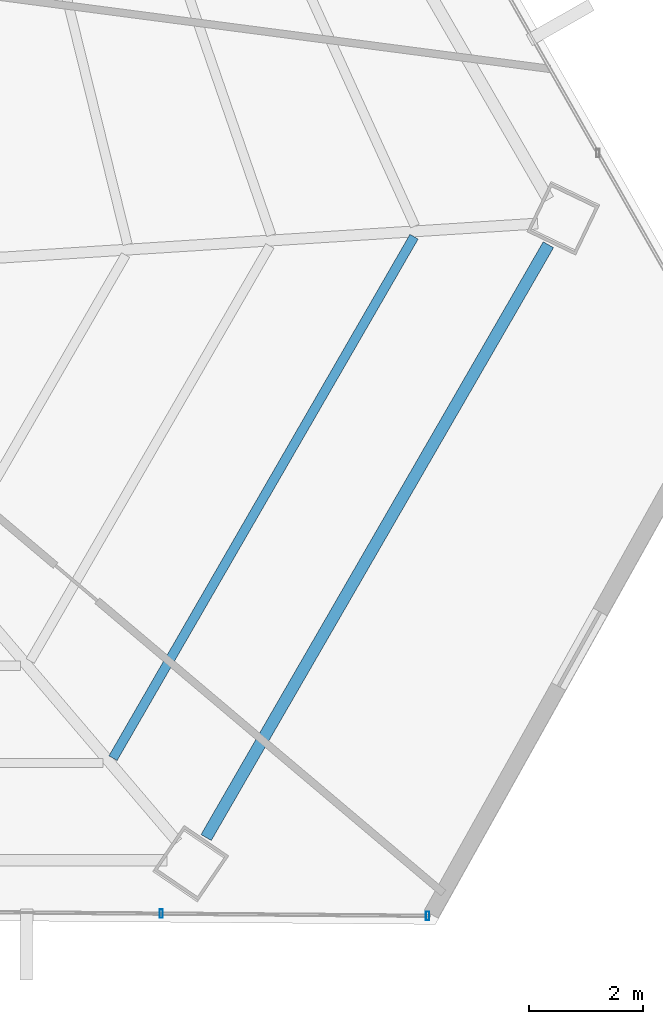
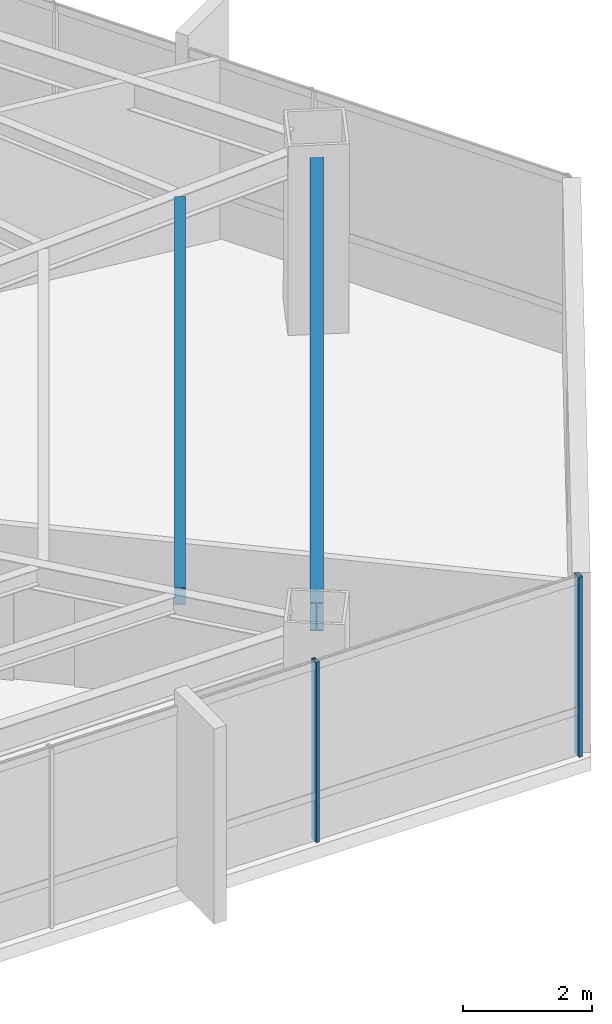
# One storey, part 19 of 39: 2 beams, 2 members, 1 element without a shape of its own.
"""IFC4 building model written with IfcOpenShell, lengths in metres."""

from ifc_helpers import new_model, si_unit, direction, frame, origin, origin_2d, place, context, subcontext, project, spatial, hollow_rectangle, i_section, extrude, source, transform, mapped, material, material_profile, profile_set, type_object, type_shapes, element, aggregate, save


model = new_model("IFC4")

# Units and contexts
model_context = context("Model", 3, precision=1e-05, world=origin(), true_north=direction((0.0, 1.0)))
body_context = subcontext(model_context, "Body", "Model", "MODEL_VIEW")
ifc_project = project(units=[si_unit("LENGTHUNIT", "METRE"), si_unit("AREAUNIT", "SQUARE_METRE"), si_unit("VOLUMEUNIT", "CUBIC_METRE"), si_unit("PLANEANGLEUNIT", "RADIAN"), si_unit("MASSUNIT", "GRAM", prefix="KILO")], contexts=[model_context])

# Site, building, storey
site_placement = place(None, origin())
site = spatial("IfcSite", under=ifc_project, at=site_placement, CompositionType="ELEMENT")
building_placement = place(site_placement, origin())
building = spatial("IfcBuilding", under=site, at=building_placement, Name="Caelisora Broadcast Tower", CompositionType="ELEMENT")
storey_placement = place(building_placement, frame((0.0, 0.0, 142.75)))
storey = spatial("IfcBuildingStorey", under=building, at=storey_placement, Name="L37", CompositionType="ELEMENT", Elevation=142.75)

# Beams
ifc_material_1 = material(Name="Steel Grade 350 (AS/NZS 3679.1)", Category="steel")
ifc_material_profile_1 = material_profile(ifc_material_1, i_section(OverallWidth=0.208984375, OverallDepth=0.532958984375, WebThickness=0.01025390625, FlangeThickness=0.015625, at=origin_2d()), Name="Steel Grade 350 (AS/NZS 3679.1)")
ifc_profile_set_1 = profile_set([ifc_material_profile_1], Name="Steel Grade 350 (AS/NZS 3679.1)")
beam_type_1 = type_object("IfcBeamType", Name="PG05", PredefinedType="BEAM", material=ifc_profile_set_1)
shared_shape_1 = source(origin(), body_context, "Body", "SweptSolid", [
    extrude(i_section(OverallWidth=0.208984375, OverallDepth=0.532958984375, WebThickness=0.01025390625, FlangeThickness=0.015625, at=origin_2d()), origin(), (0.0, 0.0, 1.0), 12.027099609375),
])
type_shapes(beam_type_1, [shared_shape_1])
beam_1_placement = place(storey_placement, frame((54.46240234375, 7.551513671875, 3.133544921875), z_axis=(0.500007695356, 0.866020960823, 0.0), x_axis=(-0.866020960823, 0.500007695356, 0.0)))
element("IfcBeam", 1, at=beam_1_placement, inside=storey, type_object=beam_type_1, Name="L37 beam PG05", PredefinedType="BEAM", context=body_context, shape_type="MappedRepresentation", body=[
    mapped(shared_shape_1, transform((0.0, 0.0, 0.0), scale=1.0)),
])
ifc_material_profile_2 = material_profile(ifc_material_1, i_section(OverallWidth=0.166015625, OverallDepth=0.30712890625, WebThickness=0.006591796875, FlangeThickness=0.01171875, at=origin_2d()), Name="Steel Grade 350 (AS/NZS 3679.1)")
ifc_profile_set_2 = profile_set([ifc_material_profile_2], Name="Steel Grade 350 (AS/NZS 3679.1)")
beam_type_2 = type_object("IfcBeamType", Name="SB03", PredefinedType="JOIST", material=ifc_profile_set_2)
shared_shape_2 = source(origin(), body_context, "Body", "SweptSolid", [
    extrude(i_section(OverallWidth=0.166015625, OverallDepth=0.30712890625, WebThickness=0.006591796875, FlangeThickness=0.01171875, at=origin_2d()), origin(), (0.0, 0.0, 1.0), 10.579345703125),
])
type_shapes(beam_type_2, [shared_shape_2])
beam_2_placement = place(storey_placement, frame((52.826171875, 8.946044921875, 3.246337890625), z_axis=(0.499986138126, 0.866033406793, 0.0), x_axis=(-0.866033406793, 0.499986138126, 0.0)))
element("IfcBeam", 2, at=beam_2_placement, inside=storey, type_object=beam_type_2, Name="L37 beam SB03", PredefinedType="JOIST", context=body_context, shape_type="MappedRepresentation", body=[
    mapped(shared_shape_2, transform((0.0, 0.0, 0.0), scale=1.0)),
])

# Curtain wall, members
ifc_material_2 = material(Name="Unitised Aluminium and Low-E Glass Curtain Wall", Category="glass")
curtain_wall_type = type_object("IfcCurtainWallType", Name="CW-Z3", PredefinedType="NOTDEFINED", material=ifc_material_2)
curtain_wall_placement = place(storey_placement, origin())
curtain_wall = element("IfcCurtainWall", 3, at=curtain_wall_placement, inside=storey, type_object=curtain_wall_type, Name="L37 curtain wall CW-Z3", PredefinedType="NOTDEFINED")
ifc_material_3 = material(Name="Aluminium 6063-T6 Anodised Terracotta Bronze", Category="aluminium")
ifc_material_profile_3 = material_profile(ifc_material_3, hollow_rectangle(XDim=0.06005859375, YDim=0.14990234375, WallThickness=0.00341796875, at=origin_2d()), Name="Aluminium 6063-T6 Anodised Terracotta Bronze")
ifc_profile_set_3 = profile_set([ifc_material_profile_3], Name="Aluminium 6063-T6 Anodised Terracotta Bronze")
member_type = type_object("IfcMemberType", Name="CWM-03", PredefinedType="MULLION", material=ifc_profile_set_3)
shared_shape_3 = source(origin(), body_context, "Body", "SweptSolid", [
    extrude(hollow_rectangle(XDim=0.06005859375, YDim=0.14990234375, WallThickness=0.00341796875, at=origin_2d()), origin(), (0.0, 0.0, 1.0), 3.39990234375),
])
type_shapes(member_type, [shared_shape_3])
member_1_placement = place(storey_placement, frame((58.35205078125, 6.176513671875, 0.0), z_axis=(0.0, 0.0, 1.0), x_axis=(1.0, 0.0, 0.0)))
member_1 = element("IfcMember", 4, at=member_1_placement, type_object=member_type, Name="L37-CW-B05 mullion #0", PredefinedType="MULLION", context=body_context, shape_type="MappedRepresentation", body=[
    mapped(shared_shape_3, transform((0.0, 0.0, 0.0), scale=1.0)),
])
member_2_placement = place(storey_placement, frame((53.674072265625, 6.21484375, 0.0), z_axis=(0.0, 0.0, 1.0), x_axis=(1.0, 0.0, 0.0)))
member_2 = element("IfcMember", 5, at=member_2_placement, type_object=member_type, Name="L37-CW-B05 mullion #1", PredefinedType="MULLION", context=body_context, shape_type="MappedRepresentation", body=[
    mapped(shared_shape_3, transform((0.0, 0.0, 0.0), scale=1.0)),
])
aggregate(curtain_wall, [member_1, member_2])

save(model, "model.ifc")
